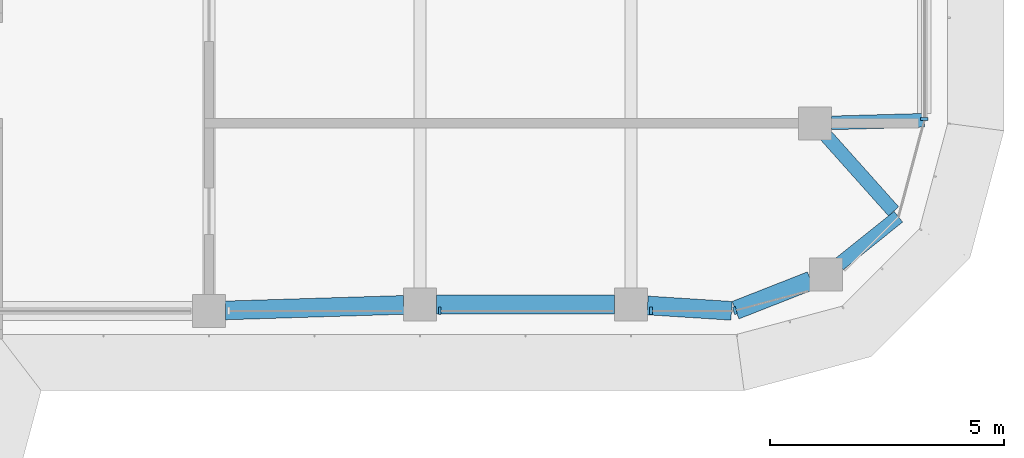
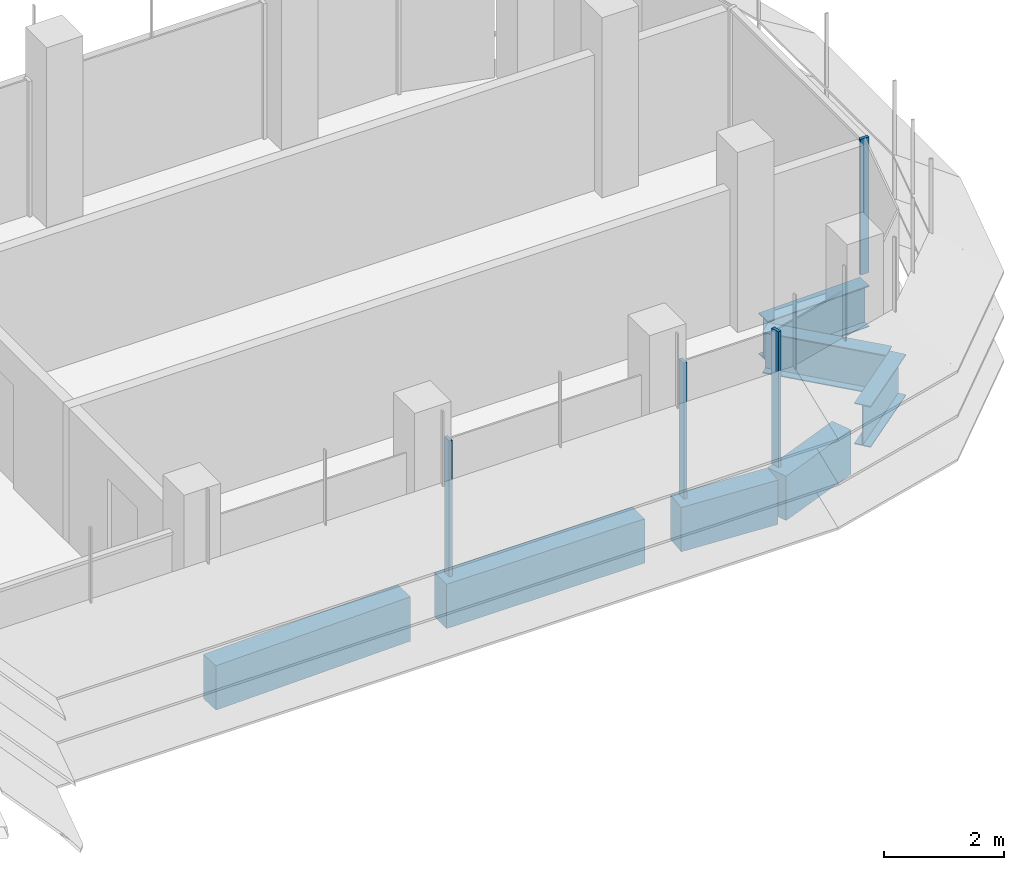
# One storey, part 5 of 19: 7 beams, 4 members, 3 elements without a shape of their own.
"""IFC4 building model written with IfcOpenShell, lengths in metres."""

from ifc_helpers import new_model, si_unit, direction, frame, origin, origin_2d, place, context, subcontext, project, spatial, polyline, rectangle, i_section, outline, extrude, source, transform, mapped, material, material_profile, profile_set, type_object, element, aggregate, save


model = new_model("IFC4")

# Units and contexts
model_context = context("Model", 3, precision=1e-05, world=origin(), true_north=direction((0.0, 1.0)))
body_context = subcontext(model_context, "Body", "Model", "MODEL_VIEW")
ifc_project = project(units=[si_unit("LENGTHUNIT", "METRE"), si_unit("AREAUNIT", "SQUARE_METRE"), si_unit("VOLUMEUNIT", "CUBIC_METRE"), si_unit("PLANEANGLEUNIT", "RADIAN"), si_unit("MASSUNIT", "GRAM", prefix="KILO")], contexts=[model_context])

# Site, building, storey
site_placement = place(None, origin())
site = spatial("IfcSite", under=ifc_project, at=site_placement, CompositionType="ELEMENT")
building_placement = place(site_placement, origin())
building = spatial("IfcBuilding", under=site, at=building_placement, Name="Zarbagh Exchange Tower", CompositionType="ELEMENT")
storey_placement = place(building_placement, frame((0.0, 0.0, 195.39990234375)))
storey = spatial("IfcBuildingStorey", under=building, at=storey_placement, Name="L47", CompositionType="ELEMENT", Elevation=195.39990234375)

# Beams
ifc_material_1 = material(Name="Steel ASTM A992 Gr 50", Category="steel")
ifc_material_profile_1 = material_profile(ifc_material_1, i_section(OverallWidth=0.2919921875, OverallDepth=0.835693359375, WebThickness=0.013916015625, FlangeThickness=0.018798828125, at=origin_2d()), Name="W33X118")
ifc_profile_set_1 = profile_set([ifc_material_profile_1], Name="Steel ASTM A992 Gr 50")
beam_type_1 = type_object("IfcBeamType", Name="Floor girder W33X118", PredefinedType="BEAM", material=ifc_profile_set_1)
beam_1_placement = place(storey_placement, frame((31.0, -2.18408203125, -0.567626953125), z_axis=(-0.999601581355, -0.028225494714, 0.0), x_axis=(0.028225494714, -0.999601581355, 0.0)))
element("IfcBeam", 1, at=beam_1_placement, inside=storey, type_object=beam_type_1, Name="Steel girder", PredefinedType="BEAM", context=body_context, shape_type="SweptSolid", body=[
    extrude(i_section(OverallWidth=0.2919921875, OverallDepth=0.835693359375, WebThickness=0.013916015625, FlangeThickness=0.018798828125, at=origin_2d()), origin(), (0.0, 0.0, 1.0), 1.980712890625),
])
beam_2_placement = place(storey_placement, frame((28.9033203125, -2.510986328125, -0.567626953125), z_axis=(0.666194955403, -0.745777635355, 0.0), x_axis=(0.745777635355, 0.666194955403, 0.0)))
element("IfcBeam", 2, at=beam_2_placement, inside=storey, type_object=beam_type_1, Name="Steel girder", PredefinedType="BEAM", context=body_context, shape_type="SweptSolid", body=[
    extrude(i_section(OverallWidth=0.2919921875, OverallDepth=0.835693359375, WebThickness=0.013916015625, FlangeThickness=0.018798828125, at=origin_2d()), origin(), (0.0, 0.0, 1.0), 2.165771484375),
])
beam_3_placement = place(storey_placement, frame((30.44873046875, -4.2412109375, -0.567626953125), z_axis=(-0.780619385558, -0.625006699877, 0.0), x_axis=(0.625006699877, -0.780619385558, 0.0)))
element("IfcBeam", 3, at=beam_3_placement, inside=storey, type_object=beam_type_1, Name="Steel girder", PredefinedType="BEAM", context=body_context, shape_type="SweptSolid", body=[
    extrude(i_section(OverallWidth=0.2919921875, OverallDepth=0.835693359375, WebThickness=0.013916015625, FlangeThickness=0.018798828125, at=origin_2d()), origin(), (0.0, 0.0, 1.0), 1.623779296875),
])
ifc_material_2 = material(Name="Concrete C50/60", Category="concrete")
ifc_material_profile_2 = material_profile(ifc_material_2, rectangle(XDim=0.39990234375, YDim=0.89990234375, at=origin_2d()), Name="RC spandrel beam 400 x 900 C50/60")
ifc_profile_set_2 = profile_set([ifc_material_profile_2], Name="Concrete C50/60")
beam_type_2 = type_object("IfcBeamType", Name="RC spandrel beam 400 x 900 C50/60", PredefinedType="SPANDREL", material=ifc_profile_set_2)
beam_4_placement = place(storey_placement, frame((28.582275390625, -5.602783203125, -0.599853515625), z_axis=(-0.930818525178, -0.365481700207, 0.0), x_axis=(0.365481700207, -0.930818525178, 0.0)))
element("IfcBeam", 4, at=beam_4_placement, inside=storey, type_object=beam_type_2, Name="RC spandrel beam", PredefinedType="SPANDREL", context=body_context, shape_type="SweptSolid", body=[
    extrude(rectangle(XDim=0.39990234375, YDim=0.89990234375, at=origin_2d()), origin(), (0.0, 0.0, 1.0), 1.72607421875),
])
beam_5_placement = place(storey_placement, frame((26.8896484375, -6.247314453125, -0.599853515625), z_axis=(-0.997943601797, 0.064098109429, 0.0), x_axis=(-0.064098109429, -0.997943601797, 0.0)))
element("IfcBeam", 5, at=beam_5_placement, inside=storey, type_object=beam_type_2, Name="RC spandrel beam", PredefinedType="SPANDREL", context=body_context, shape_type="SweptSolid", body=[
    extrude(rectangle(XDim=0.39990234375, YDim=0.89990234375, at=origin_2d()), origin(), (0.0, 0.0, 1.0), 1.7939453125),
])
beam_6_placement = place(storey_placement, frame((24.39990234375, -6.110107421875, -0.599853515625), z_axis=(-1.0, 0.0, 0.0), x_axis=(0.0, -1.0, 0.0)))
element("IfcBeam", 6, at=beam_6_placement, inside=storey, type_object=beam_type_2, Name="RC spandrel beam", PredefinedType="SPANDREL", context=body_context, shape_type="SweptSolid", body=[
    extrude(rectangle(XDim=0.39990234375, YDim=0.89990234375, at=origin_2d()), origin(), (0.0, 0.0, 1.0), 3.7998046875),
])
beam_7_placement = place(storey_placement, frame((19.900146484375, -6.120849609375, -0.599853515625), z_axis=(-0.999516950199, -0.031078389046, 0.0), x_axis=(0.031078389046, -0.999516950199, 0.0)))
element("IfcBeam", 7, at=beam_7_placement, inside=storey, type_object=beam_type_2, Name="RC spandrel beam", PredefinedType="SPANDREL", context=body_context, shape_type="SweptSolid", body=[
    extrude(rectangle(XDim=0.39990234375, YDim=0.89990234375, at=origin_2d()), origin(), (0.0, 0.0, 1.0), 3.80224609375),
])

# Curtain wall, members
ifc_material_3 = material(Name="Anodised aluminium frame and glazing", Category="aluminium")
curtain_wall_type = type_object("IfcCurtainWallType", Name="CWB Ribbon glazing, upper zones", PredefinedType="NOTDEFINED", material=ifc_material_3)
curtain_wall_1_placement = place(storey_placement, origin())
curtain_wall_1 = element("IfcCurtainWall", 8, at=curtain_wall_1_placement, inside=storey, type_object=curtain_wall_type, Name="CWB08 curtain wall", PredefinedType="NOTDEFINED")
ifc_material_4 = material(Name="Anodised aluminium frame", Category="aluminium")
member_type = type_object("IfcMemberType", Name="MUB Mullion, anodised aluminium frame", PredefinedType="MULLION", material=ifc_material_4)
shared_shape = source(origin(), body_context, "Body", "SweptSolid", [
    extrude(outline(polyline([(0.0, -0.080078125), (0.06005859375, -0.080078125), (0.06005859375, 0.080078125), (0.0, 0.080078125), (0.0, -0.080078125)])), origin(), (0.0, 0.0, 1.0), 2.75),
])
placement = place(storey_placement, origin())
member_1 = element("IfcMember", 9, at=placement, type_object=member_type, Name="CWB08 mullion 3.1", PredefinedType="MULLION", context=body_context, shape_type="MappedRepresentation", body=[
    mapped(shared_shape, transform((20.64013671875, -6.25, 0.0), x_axis=(1.0, 0.0, 0.0), y_axis=(0.0, 1.0, 0.0), z_axis=(0.0, 0.0, 1.0))),
])
member_2 = element("IfcMember", 10, at=placement, type_object=member_type, Name="CWB08 mullion 4.1", PredefinedType="MULLION", context=body_context, shape_type="MappedRepresentation", body=[
    mapped(shared_shape, transform((25.14013671875, -6.25, 0.0), x_axis=(1.0, 0.0, 0.0), y_axis=(0.0, 1.0, 0.0), z_axis=(0.0, 0.0, 1.0))),
])
aggregate(curtain_wall_1, [member_1, member_2])

# Curtain wall, member
curtain_wall_2_placement = place(storey_placement, origin())
curtain_wall_2 = element("IfcCurtainWall", 11, at=curtain_wall_2_placement, inside=storey, type_object=curtain_wall_type, Name="CWB09 curtain wall", PredefinedType="NOTDEFINED")
member_3 = element("IfcMember", 12, at=placement, type_object=member_type, Name="CWB09 mullion 1.1", PredefinedType="MULLION", context=body_context, shape_type="MappedRepresentation", body=[
    mapped(shared_shape, transform((26.93408203125, -6.25, 0.0), x_axis=(0.965924289636, 0.258824779902, 0.0), y_axis=(-0.258824779902, 0.965924289636, 0.0), z_axis=(0.0, 0.0, 1.0))),
])
aggregate(curtain_wall_2, [member_3])

curtain_wall_3_placement = place(storey_placement, origin())
curtain_wall_3 = element("IfcCurtainWall", 13, at=curtain_wall_3_placement, inside=storey, type_object=curtain_wall_type, Name="CWB12 curtain wall", PredefinedType="NOTDEFINED")
member_4 = element("IfcMember", 14, at=placement, type_object=member_type, Name="CWB12 mullion 1.1", PredefinedType="MULLION", context=body_context, shape_type="MappedRepresentation", body=[
    mapped(shared_shape, transform((31.0, -2.18408203125, 0.0), x_axis=(0.0, 1.0, 0.0), y_axis=(-1.0, 0.0, 0.0), z_axis=(0.0, 0.0, 1.0))),
])
aggregate(curtain_wall_3, [member_4])

save(model, "model.ifc")
